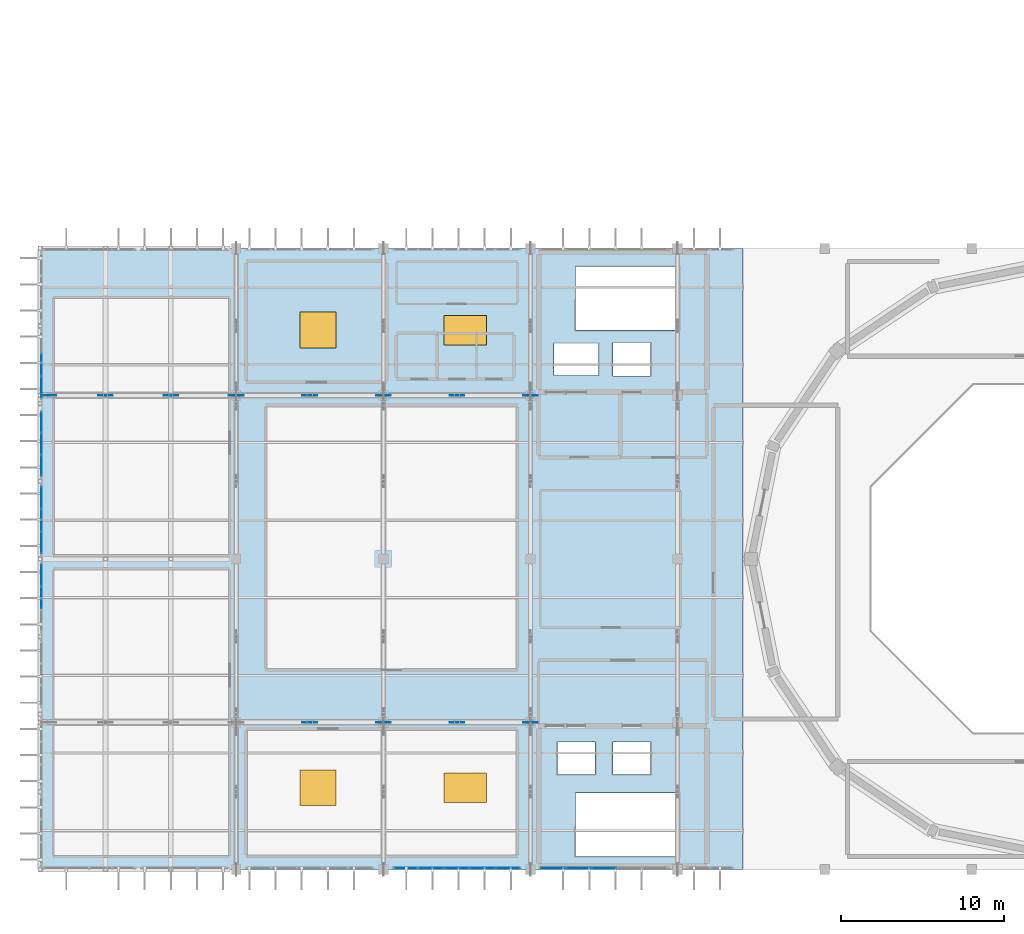
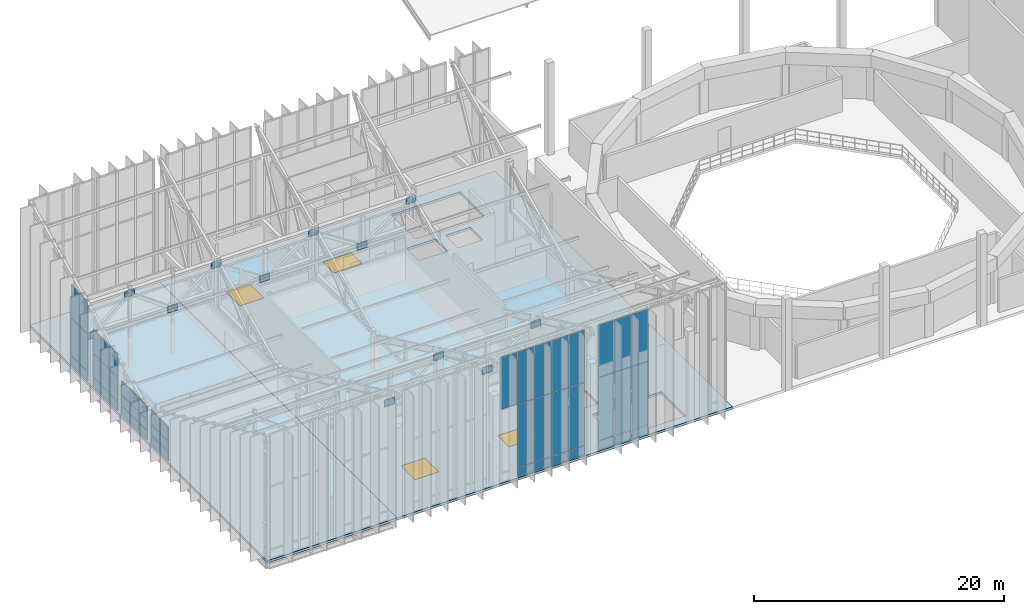
# One storey, part 49 of 68: 64 plates, 4 windows, 2 slabs, 4 openings, 6 elements without a shape of their own.
"""IFC4 building model written with IfcOpenShell, lengths in metres."""

from ifc_helpers import new_model, si_unit, direction, frame, origin, origin_2d, place, context, subcontext, project, spatial, polyline, rectangle, outline, extrude, material, layer, layer_set, type_object, element, fill, aggregate, save


model = new_model("IFC4")

# Units and contexts
model_context = context("Model", 3, precision=1e-05, world=origin(), true_north=direction((0.0, 1.0)))
body_context = subcontext(model_context, "Body", "Model", "MODEL_VIEW")
ifc_project = project(units=[si_unit("LENGTHUNIT", "METRE"), si_unit("AREAUNIT", "SQUARE_METRE"), si_unit("VOLUMEUNIT", "CUBIC_METRE"), si_unit("PLANEANGLEUNIT", "RADIAN"), si_unit("MASSUNIT", "GRAM", prefix="KILO")], contexts=[model_context])

# Site, building, storey
site_placement = place(None, origin())
site = spatial("IfcSite", under=ifc_project, at=site_placement, CompositionType="ELEMENT")
building_placement = place(site_placement, origin())
building = spatial("IfcBuilding", under=site, at=building_placement, Name="Miravela Opera House", CompositionType="ELEMENT")
storey_placement = place(building_placement, frame((0.0, 0.0, 21.760009765625)))
storey = spatial("IfcBuildingStorey", under=building, at=storey_placement, Name="L05", CompositionType="ELEMENT", Elevation=21.760009765625)

# Curtain wall, plates
ifc_material_1 = material(Name="Anodised architectural bronze aluminium 6063-T6", Category="aluminium")
curtain_wall_type = type_object("IfcCurtainWallType", Name="ARC-CW-03", PredefinedType="NOTDEFINED", material=ifc_material_1)
curtain_wall_1_placement = place(storey_placement, origin())
curtain_wall_1 = element("IfcCurtainWall", 1, at=curtain_wall_1_placement, inside=storey, type_object=curtain_wall_type, Name="Cantilever West Wrapper Glazing B4 CW-L05-050", PredefinedType="NOTDEFINED")
ifc_material_2 = material(Name="Triple-glazed acoustic laminated low-E glass", Category="glass")
ifc_layer_1 = layer(ifc_material_2, 0.035888671875)
ifc_layer_set_1 = layer_set([ifc_layer_1])
plate_type_1 = type_object("IfcPlateType", Name="ARC-CWP-36", PredefinedType="CURTAIN_PANEL", material=ifc_layer_set_1)
plate_1_placement = place(storey_placement, frame((15.080078125, 53.625, 0.06494140625), z_axis=(0.0, 0.0, 1.0), x_axis=(0.0, 1.0, 0.0)))
plate_1 = element("IfcPlate", 2, at=plate_1_placement, type_object=plate_type_1, Name="CW-03 panel 2.1", PredefinedType="CURTAIN_PANEL", context=body_context, shape_type="SweptSolid", body=[
    extrude(rectangle(XDim=1.331787109375, YDim=0.035888671875, at=origin_2d()), origin(), (0.0, 0.0, 1.0), 0.8525390625),
])
plate_2_placement = place(storey_placement, frame((15.080078125, 53.625, 0.982421875), z_axis=(0.0, 0.0, 1.0), x_axis=(0.0, 1.0, 0.0)))
plate_2 = element("IfcPlate", 3, at=plate_2_placement, type_object=plate_type_1, Name="CW-03 panel 2.2", PredefinedType="CURTAIN_PANEL", context=body_context, shape_type="SweptSolid", body=[
    extrude(rectangle(XDim=1.331787109375, YDim=0.035888671875, at=origin_2d()), origin(), (0.0, 0.0, 1.0), 0.981689453125),
])
plate_3_placement = place(storey_placement, frame((15.080078125, 53.625, 2.029296875), z_axis=(0.0, 0.0, 1.0), x_axis=(0.0, 1.0, 0.0)))
plate_3 = element("IfcPlate", 4, at=plate_3_placement, type_object=plate_type_1, Name="CW-03 panel 2.3", PredefinedType="CURTAIN_PANEL", context=body_context, shape_type="SweptSolid", body=[
    extrude(rectangle(XDim=1.331787109375, YDim=0.035888671875, at=origin_2d()), origin(), (0.0, 0.0, 1.0), 1.348388671875),
])
plate_4_placement = place(storey_placement, frame((15.080078125, 55.00537109375, 0.06494140625), z_axis=(0.0, 0.0, 1.0), x_axis=(0.0, 1.0, 0.0)))
plate_4 = element("IfcPlate", 5, at=plate_4_placement, type_object=plate_type_1, Name="CW-03 panel 3.1", PredefinedType="CURTAIN_PANEL", context=body_context, shape_type="SweptSolid", body=[
    extrude(rectangle(XDim=1.299072265625, YDim=0.035888671875, at=origin_2d()), origin(), (0.0, 0.0, 1.0), 0.8525390625),
])
plate_5_placement = place(storey_placement, frame((15.080078125, 55.00537109375, 0.982421875), z_axis=(0.0, 0.0, 1.0), x_axis=(0.0, 1.0, 0.0)))
plate_5 = element("IfcPlate", 6, at=plate_5_placement, type_object=plate_type_1, Name="CW-03 panel 3.2", PredefinedType="CURTAIN_PANEL", context=body_context, shape_type="SweptSolid", body=[
    extrude(rectangle(XDim=1.299072265625, YDim=0.035888671875, at=origin_2d()), origin(), (0.0, 0.0, 1.0), 0.981689453125),
])
plate_6_placement = place(storey_placement, frame((15.080078125, 55.00537109375, 2.029296875), z_axis=(0.0, 0.0, 1.0), x_axis=(0.0, 1.0, 0.0)))
plate_6 = element("IfcPlate", 7, at=plate_6_placement, type_object=plate_type_1, Name="CW-03 panel 3.3", PredefinedType="CURTAIN_PANEL", context=body_context, shape_type="SweptSolid", body=[
    extrude(rectangle(XDim=1.299072265625, YDim=0.035888671875, at=origin_2d()), origin(), (0.0, 0.0, 1.0), 1.348388671875),
])
aggregate(curtain_wall_1, [plate_1, plate_2, plate_3, plate_4, plate_5, plate_6])

curtain_wall_2_placement = place(storey_placement, origin())
curtain_wall_2 = element("IfcCurtainWall", 8, at=curtain_wall_2_placement, inside=storey, type_object=curtain_wall_type, Name="Cantilever West Wrapper Glazing B5 CW-L05-051", PredefinedType="NOTDEFINED")
plate_7_placement = place(storey_placement, frame((15.080078125, 56.99462890625, 0.06494140625), z_axis=(0.0, 0.0, 1.0), x_axis=(0.0, 1.0, 0.0)))
plate_7 = element("IfcPlate", 9, at=plate_7_placement, type_object=plate_type_1, Name="CW-03 panel 1.1", PredefinedType="CURTAIN_PANEL", context=body_context, shape_type="SweptSolid", body=[
    extrude(rectangle(XDim=1.299072265625, YDim=0.035888671875, at=origin_2d()), origin(), (0.0, 0.0, 1.0), 0.8525390625),
])
plate_8_placement = place(storey_placement, frame((15.080078125, 56.99462890625, 0.982421875), z_axis=(0.0, 0.0, 1.0), x_axis=(0.0, 1.0, 0.0)))
plate_8 = element("IfcPlate", 10, at=plate_8_placement, type_object=plate_type_1, Name="CW-03 panel 1.2", PredefinedType="CURTAIN_PANEL", context=body_context, shape_type="SweptSolid", body=[
    extrude(rectangle(XDim=1.299072265625, YDim=0.035888671875, at=origin_2d()), origin(), (0.0, 0.0, 1.0), 0.981689453125),
])
plate_9_placement = place(storey_placement, frame((15.080078125, 56.99462890625, 2.029296875), z_axis=(0.0, 0.0, 1.0), x_axis=(0.0, 1.0, 0.0)))
plate_9 = element("IfcPlate", 11, at=plate_9_placement, type_object=plate_type_1, Name="CW-03 panel 1.3", PredefinedType="CURTAIN_PANEL", context=body_context, shape_type="SweptSolid", body=[
    extrude(rectangle(XDim=1.299072265625, YDim=0.035888671875, at=origin_2d()), origin(), (0.0, 0.0, 1.0), 1.348388671875),
])
plate_10_placement = place(storey_placement, frame((15.080078125, 58.375, 0.06494140625), z_axis=(0.0, 0.0, 1.0), x_axis=(0.0, 1.0, 0.0)))
plate_10 = element("IfcPlate", 12, at=plate_10_placement, type_object=plate_type_1, Name="CW-03 panel 2.1", PredefinedType="CURTAIN_PANEL", context=body_context, shape_type="SweptSolid", body=[
    extrude(rectangle(XDim=1.331787109375, YDim=0.035888671875, at=origin_2d()), origin(), (0.0, 0.0, 1.0), 0.8525390625),
])
plate_11_placement = place(storey_placement, frame((15.080078125, 58.375, 0.982421875), z_axis=(0.0, 0.0, 1.0), x_axis=(0.0, 1.0, 0.0)))
plate_11 = element("IfcPlate", 13, at=plate_11_placement, type_object=plate_type_1, Name="CW-03 panel 2.2", PredefinedType="CURTAIN_PANEL", context=body_context, shape_type="SweptSolid", body=[
    extrude(rectangle(XDim=1.331787109375, YDim=0.035888671875, at=origin_2d()), origin(), (0.0, 0.0, 1.0), 0.981689453125),
])
plate_12_placement = place(storey_placement, frame((15.080078125, 58.375, 2.029296875), z_axis=(0.0, 0.0, 1.0), x_axis=(0.0, 1.0, 0.0)))
plate_12 = element("IfcPlate", 14, at=plate_12_placement, type_object=plate_type_1, Name="CW-03 panel 2.3", PredefinedType="CURTAIN_PANEL", context=body_context, shape_type="SweptSolid", body=[
    extrude(rectangle(XDim=1.331787109375, YDim=0.035888671875, at=origin_2d()), origin(), (0.0, 0.0, 1.0), 1.348388671875),
])
plate_13_placement = place(storey_placement, frame((15.080078125, 59.75537109375, 0.06494140625), z_axis=(0.0, 0.0, 1.0), x_axis=(0.0, 1.0, 0.0)))
plate_13 = element("IfcPlate", 15, at=plate_13_placement, type_object=plate_type_1, Name="CW-03 panel 3.1", PredefinedType="CURTAIN_PANEL", context=body_context, shape_type="SweptSolid", body=[
    extrude(rectangle(XDim=1.299072265625, YDim=0.035888671875, at=origin_2d()), origin(), (0.0, 0.0, 1.0), 0.8525390625),
])
plate_14_placement = place(storey_placement, frame((15.080078125, 59.75537109375, 0.982421875), z_axis=(0.0, 0.0, 1.0), x_axis=(0.0, 1.0, 0.0)))
plate_14 = element("IfcPlate", 16, at=plate_14_placement, type_object=plate_type_1, Name="CW-03 panel 3.2", PredefinedType="CURTAIN_PANEL", context=body_context, shape_type="SweptSolid", body=[
    extrude(rectangle(XDim=1.299072265625, YDim=0.035888671875, at=origin_2d()), origin(), (0.0, 0.0, 1.0), 0.981689453125),
])
plate_15_placement = place(storey_placement, frame((15.080078125, 59.75537109375, 2.029296875), z_axis=(0.0, 0.0, 1.0), x_axis=(0.0, 1.0, 0.0)))
plate_15 = element("IfcPlate", 17, at=plate_15_placement, type_object=plate_type_1, Name="CW-03 panel 3.3", PredefinedType="CURTAIN_PANEL", context=body_context, shape_type="SweptSolid", body=[
    extrude(rectangle(XDim=1.299072265625, YDim=0.035888671875, at=origin_2d()), origin(), (0.0, 0.0, 1.0), 1.348388671875),
])
aggregate(curtain_wall_2, [plate_7, plate_8, plate_9, plate_10, plate_11, plate_12, plate_13, plate_14, plate_15])

curtain_wall_3_placement = place(storey_placement, origin())
curtain_wall_3 = element("IfcCurtainWall", 18, at=curtain_wall_3_placement, inside=storey, type_object=curtain_wall_type, Name="Cantilever West Wrapper Glazing B6 CW-L05-052", PredefinedType="NOTDEFINED")
plate_16_placement = place(storey_placement, frame((15.080078125, 61.71630859375, 0.06494140625), z_axis=(0.0, 0.0, 1.0), x_axis=(0.0, 1.0, 0.0)))
plate_16 = element("IfcPlate", 19, at=plate_16_placement, type_object=plate_type_1, Name="CW-03 panel 1.1", PredefinedType="CURTAIN_PANEL", context=body_context, shape_type="SweptSolid", body=[
    extrude(rectangle(XDim=1.242431640625, YDim=0.035888671875, at=origin_2d()), origin(), (0.0, 0.0, 1.0), 0.8525390625),
])
plate_17_placement = place(storey_placement, frame((15.080078125, 61.71630859375, 0.982421875), z_axis=(0.0, 0.0, 1.0), x_axis=(0.0, 1.0, 0.0)))
plate_17 = element("IfcPlate", 20, at=plate_17_placement, type_object=plate_type_1, Name="CW-03 panel 1.2", PredefinedType="CURTAIN_PANEL", context=body_context, shape_type="SweptSolid", body=[
    extrude(rectangle(XDim=1.242431640625, YDim=0.035888671875, at=origin_2d()), origin(), (0.0, 0.0, 1.0), 2.28662109375),
])
plate_18_placement = place(storey_placement, frame((15.080078125, 61.71630859375, 3.334228515625), z_axis=(0.0, 0.0, 1.0), x_axis=(0.0, 1.0, 0.0)))
plate_18 = element("IfcPlate", 21, at=plate_18_placement, type_object=plate_type_1, Name="CW-03 panel 1.3", PredefinedType="CURTAIN_PANEL", context=body_context, shape_type="SweptSolid", body=[
    extrude(rectangle(XDim=1.242431640625, YDim=0.035888671875, at=origin_2d()), origin(), (0.0, 0.0, 1.0), 2.29345703125),
])
plate_19_placement = place(storey_placement, frame((15.080078125, 63.0400390625, 0.06494140625), z_axis=(0.0, 0.0, 1.0), x_axis=(0.0, 1.0, 0.0)))
plate_19 = element("IfcPlate", 22, at=plate_19_placement, type_object=plate_type_1, Name="CW-03 panel 2.1", PredefinedType="CURTAIN_PANEL", context=body_context, shape_type="SweptSolid", body=[
    extrude(rectangle(XDim=1.27490234375, YDim=0.035888671875, at=origin_2d()), origin(), (0.0, 0.0, 1.0), 0.8525390625),
])
plate_20_placement = place(storey_placement, frame((15.080078125, 63.0400390625, 0.982421875), z_axis=(0.0, 0.0, 1.0), x_axis=(0.0, 1.0, 0.0)))
plate_20 = element("IfcPlate", 23, at=plate_20_placement, type_object=plate_type_1, Name="CW-03 panel 2.2", PredefinedType="CURTAIN_PANEL", context=body_context, shape_type="SweptSolid", body=[
    extrude(rectangle(XDim=1.27490234375, YDim=0.035888671875, at=origin_2d()), origin(), (0.0, 0.0, 1.0), 2.28662109375),
])
plate_21_placement = place(storey_placement, frame((15.080078125, 63.0400390625, 3.334228515625), z_axis=(0.0, 0.0, 1.0), x_axis=(0.0, 1.0, 0.0)))
plate_21 = element("IfcPlate", 24, at=plate_21_placement, type_object=plate_type_1, Name="CW-03 panel 2.3", PredefinedType="CURTAIN_PANEL", context=body_context, shape_type="SweptSolid", body=[
    extrude(rectangle(XDim=1.27490234375, YDim=0.035888671875, at=origin_2d()), origin(), (0.0, 0.0, 1.0), 2.29345703125),
])
plate_22_placement = place(storey_placement, frame((15.080078125, 64.36376953125, 0.06494140625), z_axis=(0.0, 0.0, 1.0), x_axis=(0.0, 1.0, 0.0)))
plate_22 = element("IfcPlate", 25, at=plate_22_placement, type_object=plate_type_1, Name="CW-03 panel 3.1", PredefinedType="CURTAIN_PANEL", context=body_context, shape_type="SweptSolid", body=[
    extrude(rectangle(XDim=1.242431640625, YDim=0.035888671875, at=origin_2d()), origin(), (0.0, 0.0, 1.0), 0.8525390625),
])
plate_23_placement = place(storey_placement, frame((15.080078125, 64.36376953125, 0.982421875), z_axis=(0.0, 0.0, 1.0), x_axis=(0.0, 1.0, 0.0)))
plate_23 = element("IfcPlate", 26, at=plate_23_placement, type_object=plate_type_1, Name="CW-03 panel 3.2", PredefinedType="CURTAIN_PANEL", context=body_context, shape_type="SweptSolid", body=[
    extrude(rectangle(XDim=1.242431640625, YDim=0.035888671875, at=origin_2d()), origin(), (0.0, 0.0, 1.0), 2.28662109375),
])
plate_24_placement = place(storey_placement, frame((15.080078125, 64.36376953125, 3.334228515625), z_axis=(0.0, 0.0, 1.0), x_axis=(0.0, 1.0, 0.0)))
plate_24 = element("IfcPlate", 27, at=plate_24_placement, type_object=plate_type_1, Name="CW-03 panel 3.3", PredefinedType="CURTAIN_PANEL", context=body_context, shape_type="SweptSolid", body=[
    extrude(rectangle(XDim=1.242431640625, YDim=0.035888671875, at=origin_2d()), origin(), (0.0, 0.0, 1.0), 2.29345703125),
])
aggregate(curtain_wall_3, [plate_16, plate_17, plate_18, plate_19, plate_20, plate_21, plate_22, plate_23, plate_24])

curtain_wall_4_placement = place(storey_placement, origin())
curtain_wall_4 = element("IfcCurtainWall", 28, at=curtain_wall_4_placement, inside=storey, type_object=curtain_wall_type, Name="Cantilever West Wrapper Glazing B7 CW-L05-053", PredefinedType="NOTDEFINED")
plate_25_placement = place(storey_placement, frame((15.080078125, 66.49462890625, 0.06494140625), z_axis=(0.0, 0.0, 1.0), x_axis=(0.0, 1.0, 0.0)))
plate_25 = element("IfcPlate", 29, at=plate_25_placement, type_object=plate_type_1, Name="CW-03 panel 1.1", PredefinedType="CURTAIN_PANEL", context=body_context, shape_type="SweptSolid", body=[
    extrude(rectangle(XDim=1.299072265625, YDim=0.035888671875, at=origin_2d()), origin(), (0.0, 0.0, 1.0), 0.8525390625),
])
plate_26_placement = place(storey_placement, frame((15.080078125, 66.49462890625, 0.982421875), z_axis=(0.0, 0.0, 1.0), x_axis=(0.0, 1.0, 0.0)))
plate_26 = element("IfcPlate", 30, at=plate_26_placement, type_object=plate_type_1, Name="CW-03 panel 1.2", PredefinedType="CURTAIN_PANEL", context=body_context, shape_type="SweptSolid", body=[
    extrude(rectangle(XDim=1.299072265625, YDim=0.035888671875, at=origin_2d()), origin(), (0.0, 0.0, 1.0), 3.591796875),
])
plate_27_placement = place(storey_placement, frame((15.080078125, 66.49462890625, 4.63916015625), z_axis=(0.0, 0.0, 1.0), x_axis=(0.0, 1.0, 0.0)))
plate_27 = element("IfcPlate", 31, at=plate_27_placement, type_object=plate_type_1, Name="CW-03 panel 1.3", PredefinedType="CURTAIN_PANEL", context=body_context, shape_type="SweptSolid", body=[
    extrude(rectangle(XDim=1.299072265625, YDim=0.035888671875, at=origin_2d()), origin(), (0.0, 0.0, 1.0), 3.23828125),
])
plate_28_placement = place(storey_placement, frame((15.080078125, 67.875, 0.06494140625), z_axis=(0.0, 0.0, 1.0), x_axis=(0.0, 1.0, 0.0)))
plate_28 = element("IfcPlate", 32, at=plate_28_placement, type_object=plate_type_1, Name="CW-03 panel 2.1", PredefinedType="CURTAIN_PANEL", context=body_context, shape_type="SweptSolid", body=[
    extrude(rectangle(XDim=1.331787109375, YDim=0.035888671875, at=origin_2d()), origin(), (0.0, 0.0, 1.0), 0.8525390625),
])
plate_29_placement = place(storey_placement, frame((15.080078125, 67.875, 0.982421875), z_axis=(0.0, 0.0, 1.0), x_axis=(0.0, 1.0, 0.0)))
plate_29 = element("IfcPlate", 33, at=plate_29_placement, type_object=plate_type_1, Name="CW-03 panel 2.2", PredefinedType="CURTAIN_PANEL", context=body_context, shape_type="SweptSolid", body=[
    extrude(rectangle(XDim=1.331787109375, YDim=0.035888671875, at=origin_2d()), origin(), (0.0, 0.0, 1.0), 3.591796875),
])
plate_30_placement = place(storey_placement, frame((15.080078125, 67.875, 4.63916015625), z_axis=(0.0, 0.0, 1.0), x_axis=(0.0, 1.0, 0.0)))
plate_30 = element("IfcPlate", 34, at=plate_30_placement, type_object=plate_type_1, Name="CW-03 panel 2.3", PredefinedType="CURTAIN_PANEL", context=body_context, shape_type="SweptSolid", body=[
    extrude(rectangle(XDim=1.331787109375, YDim=0.035888671875, at=origin_2d()), origin(), (0.0, 0.0, 1.0), 3.23828125),
])
aggregate(curtain_wall_4, [plate_25, plate_26, plate_27, plate_28, plate_29, plate_30])

curtain_wall_5_placement = place(storey_placement, origin())
curtain_wall_5 = element("IfcCurtainWall", 35, at=curtain_wall_5_placement, inside=storey, type_object=curtain_wall_type, Name="Auditorium South Wrapper Glazing CW-L05-062", PredefinedType="NOTDEFINED")
plate_31_placement = place(storey_placement, frame((37.38037109375, 37.080078125, 7.17236328125), z_axis=(0.0, 0.0, 1.0), x_axis=(1.0, 0.0, 0.0)))
plate_31 = element("IfcPlate", 36, at=plate_31_placement, type_object=plate_type_1, Name="CW-03 panel 1.3", PredefinedType="CURTAIN_PANEL", context=body_context, shape_type="SweptSolid", body=[
    extrude(rectangle(XDim=1.470458984375, YDim=0.035888671875, at=origin_2d()), origin(), (0.0, 0.0, 1.0), 5.07275390625),
])
plate_32_placement = place(storey_placement, frame((38.931884765625, 37.080078125, 0.06494140625), z_axis=(0.0, 0.0, 1.0), x_axis=(1.0, 0.0, 0.0)))
plate_32 = element("IfcPlate", 37, at=plate_32_placement, type_object=plate_type_1, Name="CW-03 panel 2.1", PredefinedType="CURTAIN_PANEL", context=body_context, shape_type="SweptSolid", body=[
    extrude(rectangle(XDim=1.5029296875, YDim=0.035888671875, at=origin_2d()), origin(), (0.0, 0.0, 1.0), 0.8525390625),
])
plate_33_placement = place(storey_placement, frame((38.931884765625, 37.080078125, 0.982421875), z_axis=(0.0, 0.0, 1.0), x_axis=(1.0, 0.0, 0.0)))
plate_33 = element("IfcPlate", 38, at=plate_33_placement, type_object=plate_type_1, Name="CW-03 panel 2.2", PredefinedType="CURTAIN_PANEL", context=body_context, shape_type="SweptSolid", body=[
    extrude(rectangle(XDim=1.5029296875, YDim=0.035888671875, at=origin_2d()), origin(), (0.0, 0.0, 1.0), 6.124755859375),
])
plate_34_placement = place(storey_placement, frame((38.931884765625, 37.080078125, 7.17236328125), z_axis=(0.0, 0.0, 1.0), x_axis=(1.0, 0.0, 0.0)))
plate_34 = element("IfcPlate", 39, at=plate_34_placement, type_object=plate_type_1, Name="CW-03 panel 2.3", PredefinedType="CURTAIN_PANEL", context=body_context, shape_type="SweptSolid", body=[
    extrude(rectangle(XDim=1.5029296875, YDim=0.035888671875, at=origin_2d()), origin(), (0.0, 0.0, 1.0), 5.07275390625),
])
plate_35_placement = place(storey_placement, frame((40.5, 37.080078125, 0.06494140625), z_axis=(0.0, 0.0, 1.0), x_axis=(1.0, 0.0, 0.0)))
plate_35 = element("IfcPlate", 40, at=plate_35_placement, type_object=plate_type_1, Name="CW-03 panel 3.1", PredefinedType="CURTAIN_PANEL", context=body_context, shape_type="SweptSolid", body=[
    extrude(rectangle(XDim=1.5029296875, YDim=0.035888671875, at=origin_2d()), origin(), (0.0, 0.0, 1.0), 0.8525390625),
])
plate_36_placement = place(storey_placement, frame((40.5, 37.080078125, 0.982421875), z_axis=(0.0, 0.0, 1.0), x_axis=(1.0, 0.0, 0.0)))
plate_36 = element("IfcPlate", 41, at=plate_36_placement, type_object=plate_type_1, Name="CW-03 panel 3.2", PredefinedType="CURTAIN_PANEL", context=body_context, shape_type="SweptSolid", body=[
    extrude(rectangle(XDim=1.5029296875, YDim=0.035888671875, at=origin_2d()), origin(), (0.0, 0.0, 1.0), 6.124755859375),
])
plate_37_placement = place(storey_placement, frame((40.5, 37.080078125, 7.17236328125), z_axis=(0.0, 0.0, 1.0), x_axis=(1.0, 0.0, 0.0)))
plate_37 = element("IfcPlate", 42, at=plate_37_placement, type_object=plate_type_1, Name="CW-03 panel 3.3", PredefinedType="CURTAIN_PANEL", context=body_context, shape_type="SweptSolid", body=[
    extrude(rectangle(XDim=1.5029296875, YDim=0.035888671875, at=origin_2d()), origin(), (0.0, 0.0, 1.0), 5.07275390625),
])
plate_38_placement = place(storey_placement, frame((42.068115234375, 37.080078125, 0.06494140625), z_axis=(0.0, 0.0, 1.0), x_axis=(1.0, 0.0, 0.0)))
plate_38 = element("IfcPlate", 43, at=plate_38_placement, type_object=plate_type_1, Name="CW-03 panel 4.1", PredefinedType="CURTAIN_PANEL", context=body_context, shape_type="SweptSolid", body=[
    extrude(rectangle(XDim=1.5029296875, YDim=0.035888671875, at=origin_2d()), origin(), (0.0, 0.0, 1.0), 0.8525390625),
])
plate_39_placement = place(storey_placement, frame((42.068115234375, 37.080078125, 0.982421875), z_axis=(0.0, 0.0, 1.0), x_axis=(1.0, 0.0, 0.0)))
plate_39 = element("IfcPlate", 44, at=plate_39_placement, type_object=plate_type_1, Name="CW-03 panel 4.2", PredefinedType="CURTAIN_PANEL", context=body_context, shape_type="SweptSolid", body=[
    extrude(rectangle(XDim=1.5029296875, YDim=0.035888671875, at=origin_2d()), origin(), (0.0, 0.0, 1.0), 6.124755859375),
])
plate_40_placement = place(storey_placement, frame((42.068115234375, 37.080078125, 7.17236328125), z_axis=(0.0, 0.0, 1.0), x_axis=(1.0, 0.0, 0.0)))
plate_40 = element("IfcPlate", 45, at=plate_40_placement, type_object=plate_type_1, Name="CW-03 panel 4.3", PredefinedType="CURTAIN_PANEL", context=body_context, shape_type="SweptSolid", body=[
    extrude(rectangle(XDim=1.5029296875, YDim=0.035888671875, at=origin_2d()), origin(), (0.0, 0.0, 1.0), 5.07275390625),
])
plate_41_placement = place(storey_placement, frame((43.61962890625, 37.080078125, 0.06494140625), z_axis=(0.0, 0.0, 1.0), x_axis=(1.0, 0.0, 0.0)))
plate_41 = element("IfcPlate", 46, at=plate_41_placement, type_object=plate_type_1, Name="CW-03 panel 5.1", PredefinedType="CURTAIN_PANEL", context=body_context, shape_type="SweptSolid", body=[
    extrude(rectangle(XDim=1.470458984375, YDim=0.035888671875, at=origin_2d()), origin(), (0.0, 0.0, 1.0), 0.8525390625),
])
plate_42_placement = place(storey_placement, frame((43.61962890625, 37.080078125, 0.982421875), z_axis=(0.0, 0.0, 1.0), x_axis=(1.0, 0.0, 0.0)))
plate_42 = element("IfcPlate", 47, at=plate_42_placement, type_object=plate_type_1, Name="CW-03 panel 5.2", PredefinedType="CURTAIN_PANEL", context=body_context, shape_type="SweptSolid", body=[
    extrude(rectangle(XDim=1.470458984375, YDim=0.035888671875, at=origin_2d()), origin(), (0.0, 0.0, 1.0), 6.124755859375),
])
plate_43_placement = place(storey_placement, frame((43.61962890625, 37.080078125, 7.17236328125), z_axis=(0.0, 0.0, 1.0), x_axis=(1.0, 0.0, 0.0)))
plate_43 = element("IfcPlate", 48, at=plate_43_placement, type_object=plate_type_1, Name="CW-03 panel 5.3", PredefinedType="CURTAIN_PANEL", context=body_context, shape_type="SweptSolid", body=[
    extrude(rectangle(XDim=1.470458984375, YDim=0.035888671875, at=origin_2d()), origin(), (0.0, 0.0, 1.0), 5.07275390625),
])
aggregate(curtain_wall_5, [plate_31, plate_32, plate_33, plate_34, plate_35, plate_36, plate_37, plate_38, plate_39, plate_40, plate_41, plate_42, plate_43])

curtain_wall_6_placement = place(storey_placement, origin())
curtain_wall_6 = element("IfcCurtainWall", 49, at=curtain_wall_6_placement, inside=storey, type_object=curtain_wall_type, Name="Auditorium South Wrapper Glazing CW-L05-064", PredefinedType="NOTDEFINED")
plate_44_placement = place(storey_placement, frame((46.38037109375, 37.080078125, 0.06494140625), z_axis=(0.0, 0.0, 1.0), x_axis=(1.0, 0.0, 0.0)))
plate_44 = element("IfcPlate", 50, at=plate_44_placement, type_object=plate_type_1, Name="CW-03 panel 1.1", PredefinedType="CURTAIN_PANEL", context=body_context, shape_type="SweptSolid", body=[
    extrude(rectangle(XDim=1.470458984375, YDim=0.035888671875, at=origin_2d()), origin(), (0.0, 0.0, 1.0), 0.8525390625),
])
plate_45_placement = place(storey_placement, frame((46.38037109375, 37.080078125, 0.982421875), z_axis=(0.0, 0.0, 1.0), x_axis=(1.0, 0.0, 0.0)))
plate_45 = element("IfcPlate", 51, at=plate_45_placement, type_object=plate_type_1, Name="CW-03 panel 1.2", PredefinedType="CURTAIN_PANEL", context=body_context, shape_type="SweptSolid", body=[
    extrude(rectangle(XDim=1.470458984375, YDim=0.035888671875, at=origin_2d()), origin(), (0.0, 0.0, 1.0), 6.124755859375),
])
plate_46_placement = place(storey_placement, frame((46.38037109375, 37.080078125, 7.17236328125), z_axis=(0.0, 0.0, 1.0), x_axis=(1.0, 0.0, 0.0)))
plate_46 = element("IfcPlate", 52, at=plate_46_placement, type_object=plate_type_1, Name="CW-03 panel 1.3", PredefinedType="CURTAIN_PANEL", context=body_context, shape_type="SweptSolid", body=[
    extrude(rectangle(XDim=1.470458984375, YDim=0.035888671875, at=origin_2d()), origin(), (0.0, 0.0, 1.0), 5.07275390625),
])
plate_47_placement = place(storey_placement, frame((47.931884765625, 37.080078125, 0.06494140625), z_axis=(0.0, 0.0, 1.0), x_axis=(1.0, 0.0, 0.0)))
plate_47 = element("IfcPlate", 53, at=plate_47_placement, type_object=plate_type_1, Name="CW-03 panel 2.1", PredefinedType="CURTAIN_PANEL", context=body_context, shape_type="SweptSolid", body=[
    extrude(rectangle(XDim=1.5029296875, YDim=0.035888671875, at=origin_2d()), origin(), (0.0, 0.0, 1.0), 0.8525390625),
])
plate_48_placement = place(storey_placement, frame((47.931884765625, 37.080078125, 0.982421875), z_axis=(0.0, 0.0, 1.0), x_axis=(1.0, 0.0, 0.0)))
plate_48 = element("IfcPlate", 54, at=plate_48_placement, type_object=plate_type_1, Name="CW-03 panel 2.2", PredefinedType="CURTAIN_PANEL", context=body_context, shape_type="SweptSolid", body=[
    extrude(rectangle(XDim=1.5029296875, YDim=0.035888671875, at=origin_2d()), origin(), (0.0, 0.0, 1.0), 6.124755859375),
])
plate_49_placement = place(storey_placement, frame((47.931884765625, 37.080078125, 7.17236328125), z_axis=(0.0, 0.0, 1.0), x_axis=(1.0, 0.0, 0.0)))
plate_49 = element("IfcPlate", 55, at=plate_49_placement, type_object=plate_type_1, Name="CW-03 panel 2.3", PredefinedType="CURTAIN_PANEL", context=body_context, shape_type="SweptSolid", body=[
    extrude(rectangle(XDim=1.5029296875, YDim=0.035888671875, at=origin_2d()), origin(), (0.0, 0.0, 1.0), 5.07275390625),
])
plate_50_placement = place(storey_placement, frame((49.5, 37.080078125, 0.06494140625), z_axis=(0.0, 0.0, 1.0), x_axis=(1.0, 0.0, 0.0)))
plate_50 = element("IfcPlate", 56, at=plate_50_placement, type_object=plate_type_1, Name="CW-03 panel 3.1", PredefinedType="CURTAIN_PANEL", context=body_context, shape_type="SweptSolid", body=[
    extrude(rectangle(XDim=1.5029296875, YDim=0.035888671875, at=origin_2d()), origin(), (0.0, 0.0, 1.0), 0.8525390625),
])
plate_51_placement = place(storey_placement, frame((49.5, 37.080078125, 0.982421875), z_axis=(0.0, 0.0, 1.0), x_axis=(1.0, 0.0, 0.0)))
plate_51 = element("IfcPlate", 57, at=plate_51_placement, type_object=plate_type_1, Name="CW-03 panel 3.2", PredefinedType="CURTAIN_PANEL", context=body_context, shape_type="SweptSolid", body=[
    extrude(rectangle(XDim=1.5029296875, YDim=0.035888671875, at=origin_2d()), origin(), (0.0, 0.0, 1.0), 6.124755859375),
])
plate_52_placement = place(storey_placement, frame((49.5, 37.080078125, 7.17236328125), z_axis=(0.0, 0.0, 1.0), x_axis=(1.0, 0.0, 0.0)))
plate_52 = element("IfcPlate", 58, at=plate_52_placement, type_object=plate_type_1, Name="CW-03 panel 3.3", PredefinedType="CURTAIN_PANEL", context=body_context, shape_type="SweptSolid", body=[
    extrude(rectangle(XDim=1.5029296875, YDim=0.035888671875, at=origin_2d()), origin(), (0.0, 0.0, 1.0), 5.07275390625),
])
aggregate(curtain_wall_6, [plate_44, plate_45, plate_46, plate_47, plate_48, plate_49, plate_50, plate_51, plate_52])

# Plates
ifc_material_3 = material(Name="Structural steel ASTM A572 Gr. 50", Category="steel")
ifc_layer_2 = layer(ifc_material_3, 0.02392578125)
ifc_layer_set_2 = layer_set([ifc_layer_2])
plate_type_2 = type_object("IfcPlateType", Name="STR-PL-GUS-900X650X24", PredefinedType="USERDEFINED", material=ifc_layer_set_2)
for number, where, z_axis, x_axis, name in (
    (59, (31.5, 46.0, 3.965087890625), (0.0, 0.0, 1.0), (1.0, 0.0, 0.0), "Brace Node Gusset Plate 390"),
    (60, (36.0, 46.0, 6.864990234375), (0.0, 0.0, 1.0), (1.0, 0.0, 0.0), "Brace Node Gusset Plate 391"),
    (61, (40.5, 46.0, 3.965087890625), (0.0, 0.0, 1.0), (1.0, 0.0, 0.0), "Brace Node Gusset Plate 392"),
    (62, (45.0, 46.0, 6.864990234375), (0.0, 0.0, 1.0), (1.0, 0.0, 0.0), "Brace Node Gusset Plate 393"),
    (63, (15.550048828125, 66.0, 3.965087890625), (0.0, 0.0, 1.0), (1.0, 0.0, 0.0), "Brace Node Gusset Plate 397"),
    (64, (19.0, 66.0, 6.864990234375), (0.0, 0.0, 1.0), (1.0, 0.0, 0.0), "Brace Node Gusset Plate 398"),
    (65, (23.0, 66.0, 3.965087890625), (0.0, 0.0, 1.0), (1.0, 0.0, 0.0), "Brace Node Gusset Plate 399"),
    (66, (27.0, 66.0, 6.864990234375), (0.0, 0.0, 1.0), (1.0, 0.0, 0.0), "Brace Node Gusset Plate 400"),
    (67, (31.5, 66.0, 3.965087890625), (0.0, 0.0, 1.0), (1.0, 0.0, 0.0), "Brace Node Gusset Plate 401"),
    (68, (36.0, 66.0, 6.864990234375), (0.0, 0.0, 1.0), (1.0, 0.0, 0.0), "Brace Node Gusset Plate 402"),
    (69, (40.5, 66.0, 3.965087890625), (0.0, 0.0, 1.0), (1.0, 0.0, 0.0), "Brace Node Gusset Plate 403"),
    (70, (45.0, 66.0, 6.864990234375), (0.0, 0.0, 1.0), (1.0, 0.0, 0.0), "Brace Node Gusset Plate 404"),
):
    element("IfcPlate", number, at=place(storey_placement, frame(where, z_axis=z_axis, x_axis=x_axis)), inside=storey, type_object=plate_type_2, Name=name, ObjectType="GUSSET PLATE", PredefinedType="USERDEFINED", context=body_context, shape_type="SweptSolid", body=[
        extrude(rectangle(XDim=0.89990234375, YDim=0.02392578125, at=origin_2d()), origin(), (0.0, 0.0, 1.0), 0.64990234375),
    ])

# Slab
ifc_material_4 = material(Name="Concrete C35/45", Category="concrete")
ifc_layer_3 = layer(ifc_material_4, 0.239990234375)
ifc_layer_set_3 = layer_set([ifc_layer_3])
slab_type = type_object("IfcSlabType", Name="STR-SLAB-FLR-240", PredefinedType="FLOOR", material=ifc_layer_set_3)
slab_1_placement = place(storey_placement, frame((0.0, 0.0, -0.239990234375)))
element("IfcSlab", 71, at=slab_1_placement, inside=storey, type_object=slab_type, Name="Level L05 Floor Slab SLAB-L05-V1CANT", PredefinedType="FLOOR", context=body_context, shape_type="SweptSolid", body=[
    extrude(outline(polyline([(15.0, 37.0), (27.0, 37.0), (27.0, 75.0), (15.0, 75.0), (15.0, 37.0)])), origin(), (0.0, 0.0, 1.0), 0.239990234375),
])

# Slab, openings, windows
slab_2_placement = place(storey_placement, frame((0.0, 0.0, -0.239990234375)))
slab_2 = element("IfcSlab", 72, at=slab_2_placement, inside=storey, type_object=slab_type, Name="Level L05 Floor Slab SLAB-L05-V1W", PredefinedType="FLOOR", context=body_context, shape_type="SweptSolid", body=[
    extrude(outline(polyline([(27.0, 37.0), (58.0, 37.0), (58.0, 75.0), (27.0, 75.0), (27.0, 37.0)]), holes=[polyline([(47.739990234375, 70.0), (54.10009765625, 70.0), (54.10009765625, 73.8798828125), (47.739990234375, 73.8798828125), (47.739990234375, 70.0)]), polyline([(47.739990234375, 37.800048828125), (54.10009765625, 37.800048828125), (54.10009765625, 41.679931640625), (47.739990234375, 41.679931640625), (47.739990234375, 37.800048828125)]), polyline([(46.449951171875, 67.22509765625), (49.14990234375, 67.22509765625), (49.14990234375, 69.175048828125), (46.449951171875, 69.175048828125), (46.449951171875, 67.22509765625)]), polyline([(50.050048828125, 67.199951171875), (52.35009765625, 67.199951171875), (52.35009765625, 69.199951171875), (50.050048828125, 69.199951171875), (50.050048828125, 67.199951171875)]), polyline([(46.64990234375, 42.800048828125), (48.949951171875, 42.800048828125), (48.949951171875, 44.800048828125), (46.64990234375, 44.800048828125), (46.64990234375, 42.800048828125)]), polyline([(50.050048828125, 42.800048828125), (52.35009765625, 42.800048828125), (52.35009765625, 44.800048828125), (50.050048828125, 44.800048828125), (50.050048828125, 42.800048828125)])]), origin(), (0.0, 0.0, 1.0), 0.239990234375),
])
opening_1_placement = place(slab_2_placement, frame((32.0, 42.0, -0.010009765625)))
opening_1 = element("IfcOpeningElement", 73, at=opening_1_placement, cuts=slab_2, Name="Opening SK-01", PredefinedType="OPENING", context=body_context, shape_type="SweptSolid", body=[
    extrude(rectangle(XDim=2.199951171875, YDim=2.199951171875, at=origin_2d()), origin(), (0.0, 0.0, 1.0), 0.260009765625),
])
opening_2_placement = place(slab_2_placement, frame((32.0, 70.0, -0.010009765625)))
opening_2 = element("IfcOpeningElement", 74, at=opening_2_placement, cuts=slab_2, Name="Opening SK-01", PredefinedType="OPENING", context=body_context, shape_type="SweptSolid", body=[
    extrude(rectangle(XDim=2.199951171875, YDim=2.199951171875, at=origin_2d()), origin(), (0.0, 0.0, 1.0), 0.260009765625),
])
opening_3_placement = place(slab_2_placement, frame((41.0, 42.0, -0.010009765625)))
opening_3 = element("IfcOpeningElement", 75, at=opening_3_placement, cuts=slab_2, Name="Opening SK-02", PredefinedType="OPENING", context=body_context, shape_type="SweptSolid", body=[
    extrude(rectangle(XDim=2.60009765625, YDim=1.800048828125, at=origin_2d()), origin(), (0.0, 0.0, 1.0), 0.260009765625),
])
opening_4_placement = place(slab_2_placement, frame((41.0, 70.0, -0.010009765625)))
opening_4 = element("IfcOpeningElement", 76, at=opening_4_placement, cuts=slab_2, Name="Opening SK-02", PredefinedType="OPENING", context=body_context, shape_type="SweptSolid", body=[
    extrude(rectangle(XDim=2.60009765625, YDim=1.800048828125, at=origin_2d()), origin(), (0.0, 0.0, 1.0), 0.260009765625),
])
ifc_material_5 = material(Name="Bronze-anodised aluminium and acoustic low-E glass", Category="aluminium")
window_type_1 = type_object("IfcWindowType", Name="ARC-SKY-01", PartitioningType="SINGLE_PANEL", PredefinedType="SKYLIGHT", material=ifc_material_5)
window_1_placement = place(slab_2_placement, frame((32.0, 42.0, 0.18994140625)))
window_1 = element("IfcWindow", 77, at=window_1_placement, inside=storey, type_object=window_type_1, Name="Acoustic Roof Skylight 01", OverallHeight=2.199951171875, OverallWidth=2.199951171875, PartitioningType="SINGLE_PANEL", PredefinedType="SKYLIGHT", context=body_context, shape_type="SweptSolid", body=[
    extrude(rectangle(XDim=2.199951171875, YDim=2.199951171875, at=origin_2d()), origin(), (0.0, 0.0, 1.0), 0.050048828125),
])
fill(opening_1, window_1)
window_2_placement = place(slab_2_placement, frame((32.0, 70.0, 0.18994140625)))
window_2 = element("IfcWindow", 78, at=window_2_placement, inside=storey, type_object=window_type_1, Name="Acoustic Roof Skylight 02", OverallHeight=2.199951171875, OverallWidth=2.199951171875, PartitioningType="SINGLE_PANEL", PredefinedType="SKYLIGHT", context=body_context, shape_type="SweptSolid", body=[
    extrude(rectangle(XDim=2.199951171875, YDim=2.199951171875, at=origin_2d()), origin(), (0.0, 0.0, 1.0), 0.050048828125),
])
fill(opening_2, window_2)
window_type_2 = type_object("IfcWindowType", Name="ARC-SKY-02", PartitioningType="SINGLE_PANEL", PredefinedType="SKYLIGHT", material=ifc_material_5)
window_3_placement = place(slab_2_placement, frame((41.0, 42.0, 0.18994140625)))
window_3 = element("IfcWindow", 79, at=window_3_placement, inside=storey, type_object=window_type_2, Name="Acoustic Roof Skylight 03", OverallHeight=1.800048828125, OverallWidth=2.60009765625, PartitioningType="SINGLE_PANEL", PredefinedType="SKYLIGHT", context=body_context, shape_type="SweptSolid", body=[
    extrude(rectangle(XDim=2.60009765625, YDim=1.800048828125, at=origin_2d()), origin(), (0.0, 0.0, 1.0), 0.050048828125),
])
fill(opening_3, window_3)
window_4_placement = place(slab_2_placement, frame((41.0, 70.0, 0.18994140625)))
window_4 = element("IfcWindow", 80, at=window_4_placement, inside=storey, type_object=window_type_2, Name="Acoustic Roof Skylight 04", OverallHeight=1.800048828125, OverallWidth=2.60009765625, PartitioningType="SINGLE_PANEL", PredefinedType="SKYLIGHT", context=body_context, shape_type="SweptSolid", body=[
    extrude(rectangle(XDim=2.60009765625, YDim=1.800048828125, at=origin_2d()), origin(), (0.0, 0.0, 1.0), 0.050048828125),
])
fill(opening_4, window_4)

save(model, "model.ifc")
